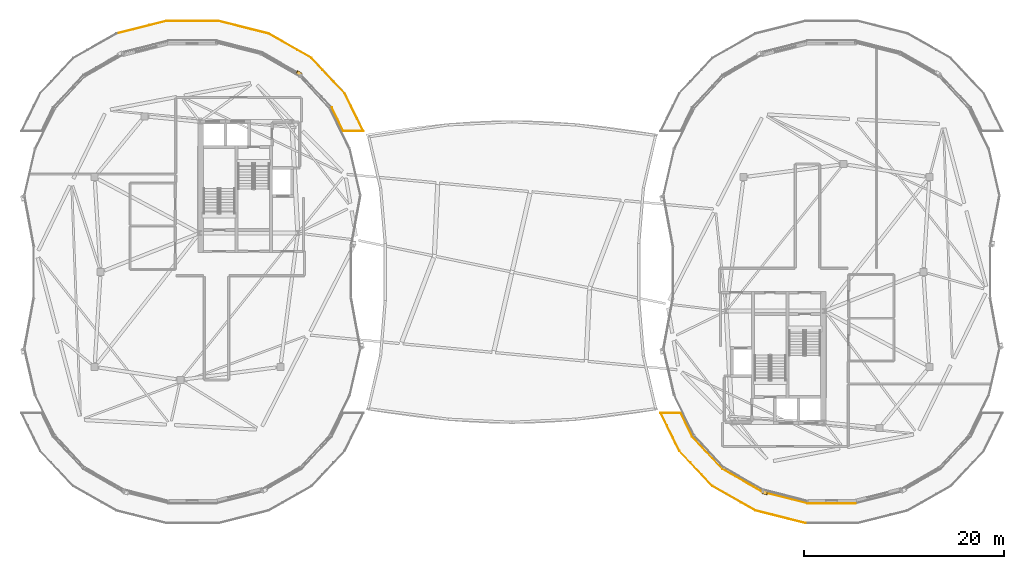
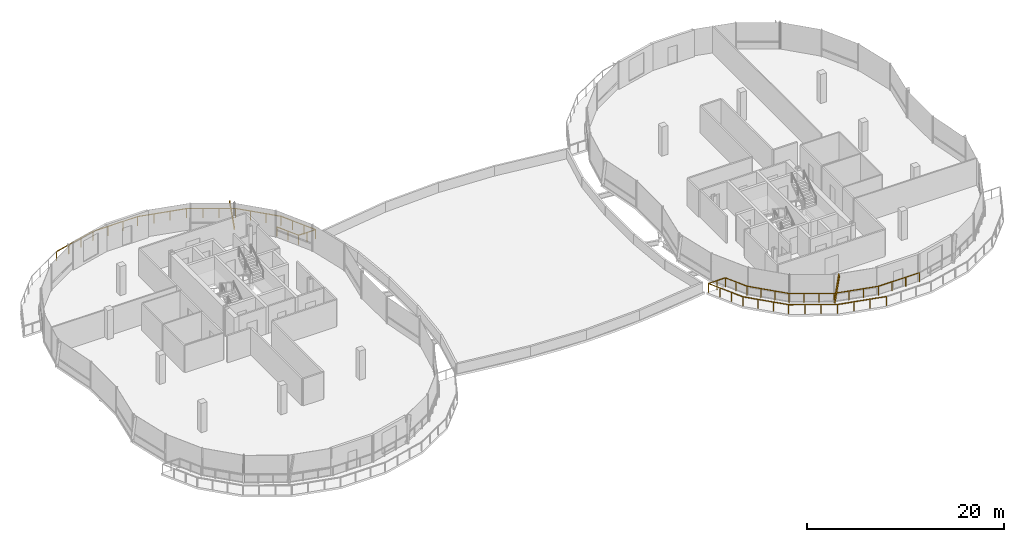
# One storey, part 28 of 31: 9 railings, 2 shading devices.
"""IFC4 building model written with IfcOpenShell, lengths in metres."""

from ifc_helpers import new_model, si_unit, direction, frame, origin, origin_2d, place, context, subcontext, project, spatial, rectangle, extrude, material, material_profile, profile_set, type_object, element, save


model = new_model("IFC4")

# Units and contexts
model_context = context("Model", 3, precision=1e-05, world=origin(), true_north=direction((0.0, 1.0)))
body_context = subcontext(model_context, "Body", "Model", "MODEL_VIEW")
ifc_project = project(units=[si_unit("LENGTHUNIT", "METRE"), si_unit("AREAUNIT", "SQUARE_METRE"), si_unit("VOLUMEUNIT", "CUBIC_METRE"), si_unit("PLANEANGLEUNIT", "RADIAN"), si_unit("MASSUNIT", "GRAM", prefix="KILO"), si_unit("THERMODYNAMICTEMPERATUREUNIT", "KELVIN"), si_unit("POWERUNIT", "WATT")], contexts=[model_context])

# Site, building, storey
site_placement = place(None, origin())
site = spatial("IfcSite", under=ifc_project, at=site_placement, CompositionType="ELEMENT")
building_placement = place(site_placement, origin())
building = spatial("IfcBuilding", under=site, at=building_placement, Name="Cundina Bronze Exchange", CompositionType="ELEMENT")
storey_placement = place(building_placement, frame((0.0, 0.0, 275.60009765625)))
storey = spatial("IfcBuildingStorey", under=building, at=storey_placement, Name="L73", CompositionType="ELEMENT", Elevation=275.60009765625)

# Railings
ifc_material = material(Name="Anodised Bronze Aluminium 6063-T6", Category="aluminium")
railing_type = type_object("IfcRailingType", Name="RLG-GRD-1150", PredefinedType="GUARDRAIL", material=ifc_material)
railing_1_placement = place(storey_placement, frame((-39.615478515625, 23.88134765625, 0.0)))
element("IfcRailing", 1, at=railing_1_placement, inside=storey, type_object=railing_type, Name="L73 Perimeter Safety Guardrail 02", PredefinedType="GUARDRAIL", context=body_context, shape_type="SweptSolid", body=[
    extrude(rectangle(XDim=0.048095703125, YDim=0.048095703125, at=origin_2d()), frame((0.0, 0.0, 1.1259765625), z_axis=(0.969737184332, 0.244151168998, 0.0), x_axis=(-0.244151168998, 0.969737184332, 0.0)), (0.0, 0.0, 1.0), 5.15478515625),
    extrude(rectangle(XDim=0.048095703125, YDim=0.048095703125, at=origin_2d()), frame((4.998779296875, 1.258544921875, 1.1259765625), z_axis=(1.0, 0.0, 0.0), x_axis=(0.0, 1.0, 0.0)), (0.0, 0.0, 1.0), 5.2333984375),
    extrude(rectangle(XDim=0.0419921875, YDim=0.0419921875, at=origin_2d()), origin(), (0.0, 0.0, 1.0), 1.101806640625),
    extrude(rectangle(XDim=0.0419921875, YDim=0.0419921875, at=origin_2d()), frame((1.666259765625, 0.41943359375, 0.0)), (0.0, 0.0, 1.0), 1.101806640625),
    extrude(rectangle(XDim=0.0419921875, YDim=0.0419921875, at=origin_2d()), frame((3.33251953125, 0.839111328125, 0.0)), (0.0, 0.0, 1.0), 1.101806640625),
    extrude(rectangle(XDim=0.0419921875, YDim=0.0419921875, at=origin_2d()), frame((4.998779296875, 1.258544921875, 0.0)), (0.0, 0.0, 1.0), 1.101806640625),
    extrude(rectangle(XDim=0.0419921875, YDim=0.0419921875, at=origin_2d()), frame((6.7431640625, 1.258544921875, 0.0)), (0.0, 0.0, 1.0), 1.101806640625),
    extrude(rectangle(XDim=0.0419921875, YDim=0.0419921875, at=origin_2d()), frame((8.48779296875, 1.258544921875, 0.0)), (0.0, 0.0, 1.0), 1.101806640625),
    extrude(rectangle(XDim=0.0419921875, YDim=0.0419921875, at=origin_2d()), frame((10.232177734375, 1.258544921875, 0.0)), (0.0, 0.0, 1.0), 1.101806640625),
])
railing_2_placement = place(storey_placement, frame((-29.38330078125, 25.139892578125, 0.0)))
element("IfcRailing", 2, at=railing_2_placement, inside=storey, type_object=railing_type, Name="L73 Perimeter Safety Guardrail 03", PredefinedType="GUARDRAIL", context=body_context, shape_type="SweptSolid", body=[
    extrude(rectangle(XDim=0.048095703125, YDim=0.048095703125, at=origin_2d()), frame((0.0, 0.0, 1.1259765625), z_axis=(0.969737184332, -0.244151168998, 0.0), x_axis=(0.244151168998, 0.969737184332, 0.0)), (0.0, 0.0, 1.0), 5.15478515625),
    extrude(rectangle(XDim=0.048095703125, YDim=0.048095703125, at=origin_2d()), frame((4.998779296875, -1.258544921875, 1.1259765625), z_axis=(0.86955534313, -0.493835504226, 0.0), x_axis=(0.493835504226, 0.86955534313, 0.0)), (0.0, 0.0, 1.0), 4.968994140625),
    extrude(rectangle(XDim=0.0419921875, YDim=0.0419921875, at=origin_2d()), origin(), (0.0, 0.0, 1.0), 1.101806640625),
    extrude(rectangle(XDim=0.0419921875, YDim=0.0419921875, at=origin_2d()), frame((1.666259765625, -0.41943359375, 0.0)), (0.0, 0.0, 1.0), 1.101806640625),
    extrude(rectangle(XDim=0.0419921875, YDim=0.0419921875, at=origin_2d()), frame((3.33251953125, -0.839111328125, 0.0)), (0.0, 0.0, 1.0), 1.101806640625),
    extrude(rectangle(XDim=0.0419921875, YDim=0.0419921875, at=origin_2d()), frame((4.998779296875, -1.258544921875, 0.0)), (0.0, 0.0, 1.0), 1.101806640625),
    extrude(rectangle(XDim=0.0419921875, YDim=0.0419921875, at=origin_2d()), frame((6.43896484375, -2.076416015625, 0.0)), (0.0, 0.0, 1.0), 1.101806640625),
    extrude(rectangle(XDim=0.0419921875, YDim=0.0419921875, at=origin_2d()), frame((7.87939453125, -2.89453125, 0.0)), (0.0, 0.0, 1.0), 1.101806640625),
    extrude(rectangle(XDim=0.0419921875, YDim=0.0419921875, at=origin_2d()), frame((9.319580078125, -3.71240234375, 0.0)), (0.0, 0.0, 1.0), 1.101806640625),
])
railing_3_placement = place(storey_placement, frame((-20.063720703125, 21.427490234375, 0.0)))
element("IfcRailing", 3, at=railing_3_placement, inside=storey, type_object=railing_type, Name="L73 Perimeter Safety Guardrail 04", PredefinedType="GUARDRAIL", context=body_context, shape_type="SweptSolid", body=[
    extrude(rectangle(XDim=0.048095703125, YDim=0.048095703125, at=origin_2d()), frame((0.0, 0.0, 1.1259765625), z_axis=(0.684374532241, -0.729130646469, 0.0), x_axis=(0.729130646469, 0.684374532241, 0.0)), (0.0, 0.0, 1.0), 4.8330078125),
    extrude(rectangle(XDim=0.048095703125, YDim=0.048095703125, at=origin_2d()), frame((3.3076171875, -3.52392578125, 1.1259765625), z_axis=(0.440493349909, -0.897755873657, 0.0), x_axis=(0.897755873657, 0.440493349909, 0.0)), (0.0, 0.0, 1.0), 4.236572265625),
    extrude(rectangle(XDim=0.0419921875, YDim=0.0419921875, at=origin_2d()), origin(), (0.0, 0.0, 1.0), 1.101806640625),
    extrude(rectangle(XDim=0.0419921875, YDim=0.0419921875, at=origin_2d()), frame((1.1025390625, -1.174560546875, 0.0)), (0.0, 0.0, 1.0), 1.101806640625),
    extrude(rectangle(XDim=0.0419921875, YDim=0.0419921875, at=origin_2d()), frame((2.205078125, -2.349365234375, 0.0)), (0.0, 0.0, 1.0), 1.101806640625),
    extrude(rectangle(XDim=0.0419921875, YDim=0.0419921875, at=origin_2d()), frame((3.3076171875, -3.52392578125, 0.0)), (0.0, 0.0, 1.0), 1.101806640625),
    extrude(rectangle(XDim=0.0419921875, YDim=0.0419921875, at=origin_2d()), frame((3.9296875, -4.791748046875, 0.0)), (0.0, 0.0, 1.0), 1.101806640625),
    extrude(rectangle(XDim=0.0419921875, YDim=0.0419921875, at=origin_2d()), frame((4.5517578125, -6.0595703125, 0.0)), (0.0, 0.0, 1.0), 1.101806640625),
    extrude(rectangle(XDim=0.0419921875, YDim=0.0419921875, at=origin_2d()), frame((5.173828125, -7.327392578125, 0.0)), (0.0, 0.0, 1.0), 1.101806640625),
])
railing_4_placement = place(storey_placement, frame((-14.889892578125, 14.10009765625, 0.0)))
element("IfcRailing", 4, at=railing_4_placement, inside=storey, type_object=railing_type, Name="L73 Perimeter Safety Guardrail 05", PredefinedType="GUARDRAIL", context=body_context, shape_type="SweptSolid", body=[
    extrude(rectangle(XDim=0.048095703125, YDim=0.048095703125, at=origin_2d()), frame((0.0, 0.0, 1.1259765625), z_axis=(-1.0, 0.0, 0.0), x_axis=(0.0, -1.0, 0.0)), (0.0, 0.0, 1.0), 1.99560546875),
    extrude(rectangle(XDim=0.048095703125, YDim=0.048095703125, at=origin_2d()), frame((-1.99560546875, 0.0, 1.1259765625), z_axis=(-0.439873538042, 0.898059725481, 0.0), x_axis=(-0.898059725481, -0.439873538042, 0.0)), (0.0, 0.0, 1.0), 2.6396484375),
    extrude(rectangle(XDim=0.0419921875, YDim=0.0419921875, at=origin_2d()), origin(), (0.0, 0.0, 1.0), 1.101806640625),
    extrude(rectangle(XDim=0.0419921875, YDim=0.0419921875, at=origin_2d()), frame((-0.997802734375, 0.0, 0.0)), (0.0, 0.0, 1.0), 1.101806640625),
    extrude(rectangle(XDim=0.0419921875, YDim=0.0419921875, at=origin_2d()), frame((-1.99560546875, 0.0, 0.0)), (0.0, 0.0, 1.0), 1.101806640625),
    extrude(rectangle(XDim=0.0419921875, YDim=0.0419921875, at=origin_2d()), frame((-2.576171875, 1.185302734375, 0.0)), (0.0, 0.0, 1.0), 1.101806640625),
    extrude(rectangle(XDim=0.0419921875, YDim=0.0419921875, at=origin_2d()), frame((-3.15673828125, 2.37060546875, 0.0)), (0.0, 0.0, 1.0), 1.101806640625),
])
railing_5_placement = place(storey_placement, frame((29.38330078125, -25.139892578125, 0.0)))
element("IfcRailing", 5, at=railing_5_placement, inside=storey, type_object=railing_type, Name="L73 Perimeter Safety Guardrail 03", PredefinedType="GUARDRAIL", context=body_context, shape_type="SweptSolid", body=[
    extrude(rectangle(XDim=0.048095703125, YDim=0.048095703125, at=origin_2d()), frame((0.0, 0.0, 1.1259765625), z_axis=(-0.969737184332, 0.244151168998, 0.0), x_axis=(-0.244151168998, -0.969737184332, 0.0)), (0.0, 0.0, 1.0), 5.15478515625),
    extrude(rectangle(XDim=0.048095703125, YDim=0.048095703125, at=origin_2d()), frame((-4.998779296875, 1.258544921875, 1.1259765625), z_axis=(-0.86955534313, 0.493835504226, 0.0), x_axis=(-0.493835504226, -0.86955534313, 0.0)), (0.0, 0.0, 1.0), 4.968994140625),
    extrude(rectangle(XDim=0.0419921875, YDim=0.0419921875, at=origin_2d()), origin(), (0.0, 0.0, 1.0), 1.101806640625),
    extrude(rectangle(XDim=0.0419921875, YDim=0.0419921875, at=origin_2d()), frame((-1.666259765625, 0.41943359375, 0.0)), (0.0, 0.0, 1.0), 1.101806640625),
    extrude(rectangle(XDim=0.0419921875, YDim=0.0419921875, at=origin_2d()), frame((-3.33251953125, 0.839111328125, 0.0)), (0.0, 0.0, 1.0), 1.101806640625),
    extrude(rectangle(XDim=0.0419921875, YDim=0.0419921875, at=origin_2d()), frame((-4.998779296875, 1.258544921875, 0.0)), (0.0, 0.0, 1.0), 1.101806640625),
    extrude(rectangle(XDim=0.0419921875, YDim=0.0419921875, at=origin_2d()), frame((-6.43896484375, 2.076416015625, 0.0)), (0.0, 0.0, 1.0), 1.101806640625),
    extrude(rectangle(XDim=0.0419921875, YDim=0.0419921875, at=origin_2d()), frame((-7.87939453125, 2.89453125, 0.0)), (0.0, 0.0, 1.0), 1.101806640625),
    extrude(rectangle(XDim=0.0419921875, YDim=0.0419921875, at=origin_2d()), frame((-9.319580078125, 3.71240234375, 0.0)), (0.0, 0.0, 1.0), 1.101806640625),
])
railing_6_placement = place(storey_placement, frame((20.063720703125, -21.427490234375, 0.0)))
element("IfcRailing", 6, at=railing_6_placement, inside=storey, type_object=railing_type, Name="L73 Perimeter Safety Guardrail 04", PredefinedType="GUARDRAIL", context=body_context, shape_type="SweptSolid", body=[
    extrude(rectangle(XDim=0.048095703125, YDim=0.048095703125, at=origin_2d()), frame((0.0, 0.0, 1.1259765625), z_axis=(-0.684374532241, 0.729130646469, 0.0), x_axis=(-0.729130646469, -0.684374532241, 0.0)), (0.0, 0.0, 1.0), 4.8330078125),
    extrude(rectangle(XDim=0.048095703125, YDim=0.048095703125, at=origin_2d()), frame((-3.3076171875, 3.52392578125, 1.1259765625), z_axis=(-0.440493349909, 0.897755873657, 0.0), x_axis=(-0.897755873657, -0.440493349909, 0.0)), (0.0, 0.0, 1.0), 4.236572265625),
    extrude(rectangle(XDim=0.0419921875, YDim=0.0419921875, at=origin_2d()), origin(), (0.0, 0.0, 1.0), 1.101806640625),
    extrude(rectangle(XDim=0.0419921875, YDim=0.0419921875, at=origin_2d()), frame((-1.1025390625, 1.174560546875, 0.0)), (0.0, 0.0, 1.0), 1.101806640625),
    extrude(rectangle(XDim=0.0419921875, YDim=0.0419921875, at=origin_2d()), frame((-2.205078125, 2.349365234375, 0.0)), (0.0, 0.0, 1.0), 1.101806640625),
    extrude(rectangle(XDim=0.0419921875, YDim=0.0419921875, at=origin_2d()), frame((-3.3076171875, 3.52392578125, 0.0)), (0.0, 0.0, 1.0), 1.101806640625),
    extrude(rectangle(XDim=0.0419921875, YDim=0.0419921875, at=origin_2d()), frame((-3.9296875, 4.791748046875, 0.0)), (0.0, 0.0, 1.0), 1.101806640625),
    extrude(rectangle(XDim=0.0419921875, YDim=0.0419921875, at=origin_2d()), frame((-4.5517578125, 6.0595703125, 0.0)), (0.0, 0.0, 1.0), 1.101806640625),
    extrude(rectangle(XDim=0.0419921875, YDim=0.0419921875, at=origin_2d()), frame((-5.173828125, 7.327392578125, 0.0)), (0.0, 0.0, 1.0), 1.101806640625),
])
railing_7_placement = place(storey_placement, frame((14.889892578125, -14.10009765625, 0.0)))
element("IfcRailing", 7, at=railing_7_placement, inside=storey, type_object=railing_type, Name="L73 Perimeter Safety Guardrail 05", PredefinedType="GUARDRAIL", context=body_context, shape_type="SweptSolid", body=[
    extrude(rectangle(XDim=0.048095703125, YDim=0.048095703125, at=origin_2d()), frame((0.0, 0.0, 1.1259765625), z_axis=(1.0, 0.0, 0.0), x_axis=(0.0, 1.0, 0.0)), (0.0, 0.0, 1.0), 1.99560546875),
    extrude(rectangle(XDim=0.048095703125, YDim=0.048095703125, at=origin_2d()), frame((1.99560546875, 0.0, 1.1259765625), z_axis=(0.439873538042, -0.898059725481, 0.0), x_axis=(0.898059725481, 0.439873538042, 0.0)), (0.0, 0.0, 1.0), 2.6396484375),
    extrude(rectangle(XDim=0.0419921875, YDim=0.0419921875, at=origin_2d()), origin(), (0.0, 0.0, 1.0), 1.101806640625),
    extrude(rectangle(XDim=0.0419921875, YDim=0.0419921875, at=origin_2d()), frame((0.997802734375, 0.0, 0.0)), (0.0, 0.0, 1.0), 1.101806640625),
    extrude(rectangle(XDim=0.0419921875, YDim=0.0419921875, at=origin_2d()), frame((1.99560546875, 0.0, 0.0)), (0.0, 0.0, 1.0), 1.101806640625),
    extrude(rectangle(XDim=0.0419921875, YDim=0.0419921875, at=origin_2d()), frame((2.576171875, -1.185302734375, 0.0)), (0.0, 0.0, 1.0), 1.101806640625),
    extrude(rectangle(XDim=0.0419921875, YDim=0.0419921875, at=origin_2d()), frame((3.15673828125, -2.37060546875, 0.0)), (0.0, 0.0, 1.0), 1.101806640625),
])
railing_8_placement = place(storey_placement, frame((18.046630859375, -16.470703125, 0.0)))
element("IfcRailing", 8, at=railing_8_placement, inside=storey, type_object=railing_type, Name="L73 Perimeter Safety Guardrail 06", PredefinedType="GUARDRAIL", context=body_context, shape_type="SweptSolid", body=[
    extrude(rectangle(XDim=0.048095703125, YDim=0.048095703125, at=origin_2d()), frame((0.0, 0.0, 1.1259765625), z_axis=(0.681882342668, -0.731461872388, 0.0), x_axis=(0.731461872388, 0.681882342668, 0.0)), (0.0, 0.0, 1.0), 4.47119140625),
    extrude(rectangle(XDim=0.048095703125, YDim=0.048095703125, at=origin_2d()), frame((3.048828125, -3.2705078125, 1.1259765625), z_axis=(0.867568999223, -0.497316832198, 0.0), x_axis=(0.497316832198, 0.867568999223, 0.0)), (0.0, 0.0, 1.0), 4.5517578125),
    extrude(rectangle(XDim=0.0419921875, YDim=0.0419921875, at=origin_2d()), origin(), (0.0, 0.0, 1.0), 1.101806640625),
    extrude(rectangle(XDim=0.0419921875, YDim=0.0419921875, at=origin_2d()), frame((1.016357421875, -1.090087890625, 0.0)), (0.0, 0.0, 1.0), 1.101806640625),
    extrude(rectangle(XDim=0.0419921875, YDim=0.0419921875, at=origin_2d()), frame((2.032470703125, -2.180419921875, 0.0)), (0.0, 0.0, 1.0), 1.101806640625),
    extrude(rectangle(XDim=0.0419921875, YDim=0.0419921875, at=origin_2d()), frame((3.048828125, -3.2705078125, 0.0)), (0.0, 0.0, 1.0), 1.101806640625),
    extrude(rectangle(XDim=0.0419921875, YDim=0.0419921875, at=origin_2d()), frame((4.365234375, -4.025146484375, 0.0)), (0.0, 0.0, 1.0), 1.101806640625),
    extrude(rectangle(XDim=0.0419921875, YDim=0.0419921875, at=origin_2d()), frame((5.681396484375, -4.779541015625, 0.0)), (0.0, 0.0, 1.0), 1.101806640625),
    extrude(rectangle(XDim=0.0419921875, YDim=0.0419921875, at=origin_2d()), frame((6.997802734375, -5.5341796875, 0.0)), (0.0, 0.0, 1.0), 1.101806640625),
])
railing_9_placement = place(storey_placement, frame((25.04443359375, -22.0048828125, 0.0)))
element("IfcRailing", 9, at=railing_9_placement, inside=storey, type_object=railing_type, Name="L73 Perimeter Safety Guardrail 07", PredefinedType="GUARDRAIL", context=body_context, shape_type="SweptSolid", body=[
    extrude(rectangle(XDim=0.048095703125, YDim=0.048095703125, at=origin_2d()), frame((0.0, 0.0, 1.1259765625), z_axis=(0.969066775148, -0.246798673628, 0.0), x_axis=(0.246798673628, 0.969066775148, 0.0)), (0.0, 0.0, 1.0), 4.713623046875),
    extrude(rectangle(XDim=0.048095703125, YDim=0.048095703125, at=origin_2d()), frame((4.56787109375, -1.163330078125, 1.1259765625), z_axis=(1.0, 0.0, 0.0), x_axis=(0.0, 1.0, 0.0)), (0.0, 0.0, 1.0), 4.775390625),
    extrude(rectangle(XDim=0.0419921875, YDim=0.0419921875, at=origin_2d()), origin(), (0.0, 0.0, 1.0), 1.101806640625),
    extrude(rectangle(XDim=0.0419921875, YDim=0.0419921875, at=origin_2d()), frame((1.522705078125, -0.3876953125, 0.0)), (0.0, 0.0, 1.0), 1.101806640625),
    extrude(rectangle(XDim=0.0419921875, YDim=0.0419921875, at=origin_2d()), frame((3.045166015625, -0.775634765625, 0.0)), (0.0, 0.0, 1.0), 1.101806640625),
    extrude(rectangle(XDim=0.0419921875, YDim=0.0419921875, at=origin_2d()), frame((4.56787109375, -1.163330078125, 0.0)), (0.0, 0.0, 1.0), 1.101806640625),
    extrude(rectangle(XDim=0.0419921875, YDim=0.0419921875, at=origin_2d()), frame((6.15966796875, -1.163330078125, 0.0)), (0.0, 0.0, 1.0), 1.101806640625),
    extrude(rectangle(XDim=0.0419921875, YDim=0.0419921875, at=origin_2d()), frame((7.75146484375, -1.163330078125, 0.0)), (0.0, 0.0, 1.0), 1.101806640625),
    extrude(rectangle(XDim=0.0419921875, YDim=0.0419921875, at=origin_2d()), frame((9.34326171875, -1.163330078125, 0.0)), (0.0, 0.0, 1.0), 1.101806640625),
])

# Shading devices
ifc_material_profile = material_profile(ifc_material, rectangle(XDim=0.070068359375, YDim=0.3798828125, at=origin_2d()), Name="FIN70X380", Category="aluminium")
ifc_profile_set = profile_set([ifc_material_profile], Name="Anodised Bronze Aluminium 6063-T6")
shading_device_type = type_object("IfcShadingDeviceType", Name="SHD-FIN-BRZ380", PredefinedType="USERDEFINED", material=ifc_profile_set)
for number, where, z_axis, x_axis, name in (
    (10, (-21.13671875, 19.770751953125, 0.02001953125), (-0.124833654975, 0.071605463088, 0.989590428532), (0.85839841149, -0.492383370345, 0.143912416972), "L73 Diagonal Bronze Solar Fin 5"),
    (11, (25.1015625, -22.025390625, 0.02001953125), (0.139476258949, -0.035582919606, 0.989585887643), (-0.958873481619, 0.244625990586, 0.1439436382), "L73 Diagonal Bronze Solar Fin 5"),
):
    element("IfcShadingDevice", number, at=place(storey_placement, frame(where, z_axis=z_axis, x_axis=x_axis)), inside=storey, type_object=shading_device_type, Name=name, ObjectType="FIN", PredefinedType="USERDEFINED", context=body_context, shape_type="SweptSolid", body=[
        extrude(rectangle(XDim=0.070068359375, YDim=0.3798828125, at=origin_2d()), origin(), (0.0, 0.0, 1.0), 3.33447265625),
    ])

save(model, "model.ifc")
